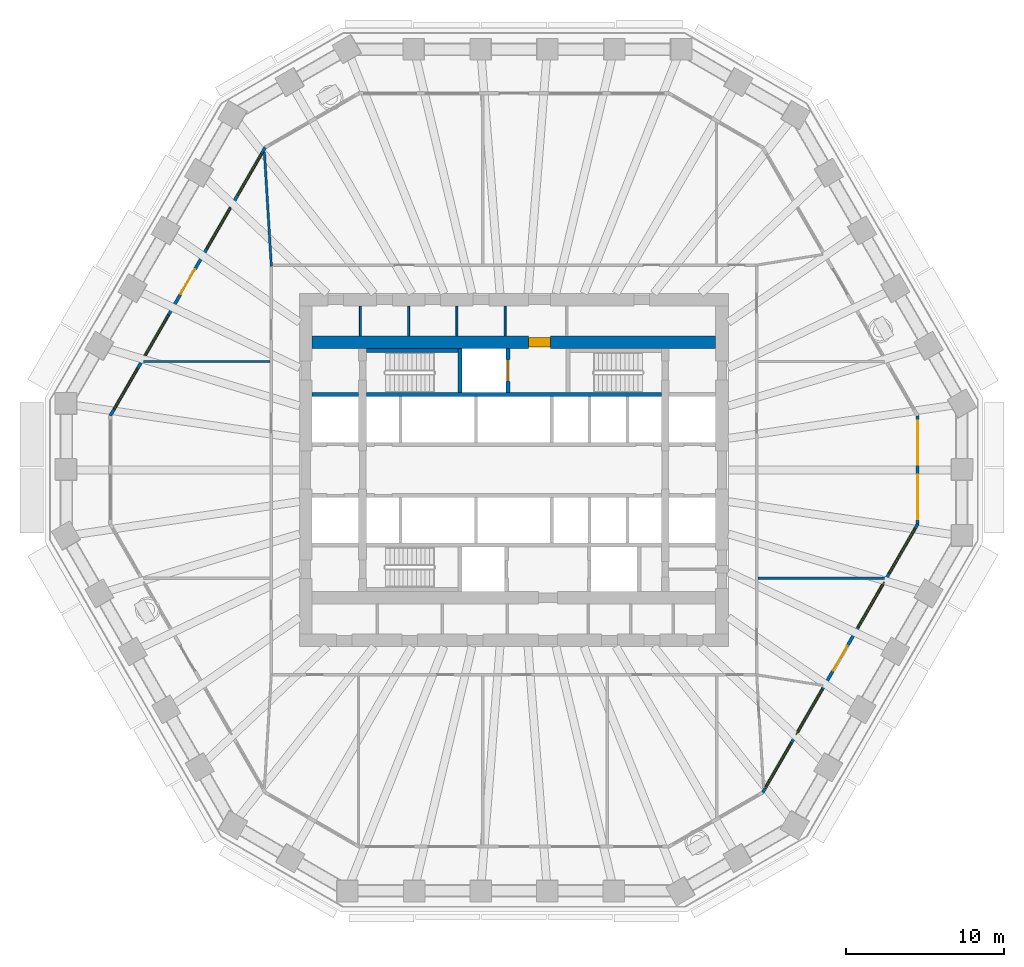
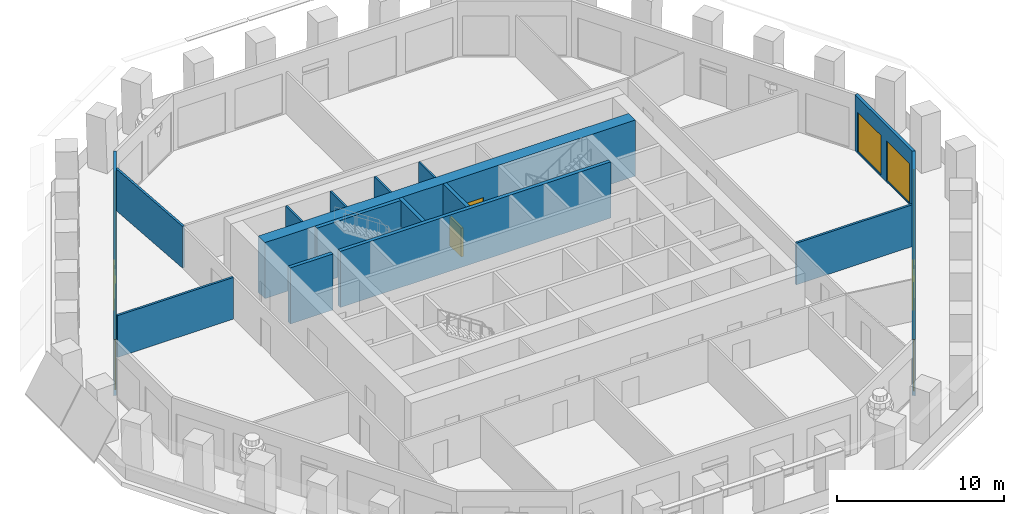
# One storey, part 6 of 12: 16 walls, 12 windows, 4 doors, 16 openings.
"""IFC4 building model written with IfcOpenShell, lengths in metres."""

import ifcopenshell
import ifcopenshell.guid

model = None  # the IFC model being written
_history = None  # IfcOwnerHistory: only IFC2X3 demands one
_inside = {}  # id of a spatial element -> (the spatial element, [elements in it])
_under = {}  # id of a project, library or spatial element -> (it, [spatial elements below it])
_declared = {}  # id of a project -> (the project, [libraries it declares])
_typed = {}  # id of a type object -> (the type object, [elements of that type])
_made_of = {}  # id of a material, layer set ... -> (it, [elements and type objects made of it])


def new_model(schema):
    """Start an empty IFC model of exactly this schema.

    Asked for "IFC4X3", IfcOpenShell would pick the latest addendum, in which some entities
    have other attributes; the version numbers below select the first issue.
    IFC2X3 requires an IfcOwnerHistory on every rooted entity: one is made here for all.
    """
    global model, _history
    if schema == "IFC4X3":
        model = ifcopenshell.file(schema_version=(4, 3, 0, 0))
    else:
        model = ifcopenshell.file(schema=schema)
    _inside.clear()
    _under.clear()
    _declared.clear()
    _typed.clear()
    _made_of.clear()
    _history = None
    if model.schema == "IFC2X3":
        org = make("IfcOrganization", Name="unknown")
        user = make(
            "IfcPersonAndOrganization",
            ThePerson=make("IfcPerson", FamilyName="unknown"),
            TheOrganization=org,
        )
        app = make(
            "IfcApplication",
            ApplicationDeveloper=org,
            Version="unknown",
            ApplicationFullName="unknown",
            ApplicationIdentifier="unknown",
        )
        _history = make(
            "IfcOwnerHistory",
            OwningUser=user,
            OwningApplication=app,
            ChangeAction="ADDED",
            CreationDate=0,
        )
    return model


def make(cls, **values):
    """One entity of the class cls with the attributes given. An attribute that is None is left unset."""
    return model.create_entity(
        cls, **{name: value for name, value in values.items() if value is not None}
    )


def rooted(cls, **values):
    """An entity with a GlobalId (a new one), such as an element, a storey or a relation."""
    return make(cls, GlobalId=ifcopenshell.guid.new(), OwnerHistory=_history, **values)


def si_unit(unit_type, name, prefix=None):
    """IfcSIUnit, for example si_unit("LENGTHUNIT", "METRE", prefix="MILLI")."""
    return make("IfcSIUnit", UnitType=unit_type, Prefix=prefix, Name=name)


def assignment(units):
    """IfcUnitAssignment: the units of a project."""
    return None if units is None else make("IfcUnitAssignment", Units=units)


def point(xyz):
    """IfcCartesianPoint."""
    return None if xyz is None else make("IfcCartesianPoint", Coordinates=xyz)


def direction(xyz):
    """IfcDirection."""
    return None if xyz is None else make("IfcDirection", DirectionRatios=xyz)


def frame(location, z_axis=None, x_axis=None):
    """IfcAxis2Placement3D, a coordinate frame: its origin and axes. An axis left out is left unset."""
    return make(
        "IfcAxis2Placement3D",
        Location=point(location),
        Axis=direction(z_axis),
        RefDirection=direction(x_axis),
    )


def frame_2d(location, x_axis=None):
    """IfcAxis2Placement2D, a coordinate frame in the plane: its origin and x axis."""
    return make(
        "IfcAxis2Placement2D", Location=point(location), RefDirection=direction(x_axis)
    )


def origin():
    """The frame at (0, 0, 0) with its axes left unset."""
    return frame((0.0, 0.0, 0.0))


def place(relative_to, where):
    """IfcLocalPlacement: puts the frame where relative to a parent placement (None: the world)."""
    return make(
        "IfcLocalPlacement", PlacementRelTo=relative_to, RelativePlacement=where
    )


def context(
    kind, dimensions, precision=None, world=None, true_north=None, identifier=None
):
    """IfcGeometricRepresentationContext, for example the 3D "Model" context."""
    return make(
        "IfcGeometricRepresentationContext",
        ContextIdentifier=identifier,
        ContextType=kind,
        CoordinateSpaceDimension=dimensions,
        Precision=precision,
        WorldCoordinateSystem=world,
        TrueNorth=true_north,
    )


def subcontext(parent, identifier, kind, view, scale=None):
    """IfcGeometricRepresentationSubContext, for example "Body" below "Model"."""
    return make(
        "IfcGeometricRepresentationSubContext",
        ContextIdentifier=identifier,
        ContextType=kind,
        ParentContext=parent,
        TargetScale=scale,
        TargetView=view,
    )


def project(units=None, contexts=None):
    """IfcProject with its units and contexts."""
    return rooted(
        "IfcProject",
        Name="project",
        RepresentationContexts=contexts,
        UnitsInContext=assignment(units),
    )


def spatial(cls, under=None, at=None, **own):
    """A site, building, storey or space (cls), placed at a placement, below another one or the project."""
    s = rooted(cls, ObjectPlacement=at, **own)
    if under is not None:
        _under.setdefault(under.id(), (under, []))[1].append(s)
    return s


def polyline(points):
    """IfcPolyline through the points."""
    return make("IfcPolyline", Points=[point(p) for p in points])


def profile(cls, at=None, kind="AREA", **sizes):
    """A parametric profile (cls). Its sizes go by their IFC names, for example OverallWidth=200.0."""
    return make(cls, ProfileType=kind, Position=at, **sizes)


def rectangle(**sizes):
    """IfcRectangleProfileDef."""
    return profile("IfcRectangleProfileDef", **sizes)


def outline(outer, holes=None, kind="AREA"):
    """IfcArbitraryClosedProfileDef: a profile drawn as a closed curve; with holes, ...WithVoids."""
    if holes is None:
        return make("IfcArbitraryClosedProfileDef", ProfileType=kind, OuterCurve=outer)
    return make(
        "IfcArbitraryProfileDefWithVoids",
        ProfileType=kind,
        OuterCurve=outer,
        InnerCurves=holes,
    )


def extrude(swept, where, along, depth):
    """IfcExtrudedAreaSolid: the profile swept, set in the frame where, extruded along a direction by depth."""
    return make(
        "IfcExtrudedAreaSolid",
        SweptArea=swept,
        Position=where,
        ExtrudedDirection=direction(along),
        Depth=depth,
    )


def shape(context_of_items, identifier, shape_type, items):
    """IfcShapeRepresentation: the items that make up one representation, for example the "Body"."""
    return make(
        "IfcShapeRepresentation",
        ContextOfItems=context_of_items,
        RepresentationIdentifier=identifier,
        RepresentationType=shape_type,
        Items=items,
    )


def material(Name=None, Category=None):
    """IfcMaterial."""
    return make("IfcMaterial", Name=Name, Category=Category)


def layer(
    of_material, thickness, ventilated=None, Name=None, Category=None, Priority=None
):
    """IfcMaterialLayer: one layer of a wall or slab, of a material (None: an air gap)."""
    return make(
        "IfcMaterialLayer",
        Material=of_material,
        LayerThickness=thickness,
        IsVentilated=ventilated,
        Name=Name,
        Category=Category,
        Priority=Priority,
    )


def layer_set(layers, Name=None):
    """IfcMaterialLayerSet."""
    return make("IfcMaterialLayerSet", MaterialLayers=layers, LayerSetName=Name)


def made_of(thing, what):
    """Note that an element or type object is made of a material, layer set ...; save() writes the relation."""
    if what is not None:
        _made_of.setdefault(what.id(), (what, []))[1].append(thing)
    return thing


def type_object(cls, material=None, **own):
    """A type object (cls), such as IfcWallType, which elements share."""
    return made_of(rooted(cls, **own), material)


def element(
    cls,
    number,
    at=None,
    inside=None,
    cuts=None,
    type_object=None,
    material=None,
    context=None,
    identifier="Body",
    shape_type=None,
    held_by="IfcProductDefinitionShape",
    body=None,
    shapes=None,
    **own,
):
    """One element of the class cls, such as IfcWall. Its Tag is "e" and its number.

    at: its placement. inside: the storey or other place that contains it. cuts: it is an
    opening in that element (IfcRelVoidsElement). A single representation is given by context,
    identifier, shape_type and body (its items); several are given by shapes. held_by: the class
    of the entity that holds the representations. save() writes the other relations.
    """
    e = rooted(cls, Tag="e%d" % number, ObjectPlacement=at, **own)
    if body is not None:
        shapes = [shape(context, identifier, shape_type, body)]
    if shapes is not None:
        e.Representation = make(held_by, Representations=shapes)
    if inside is not None:
        _inside.setdefault(inside.id(), (inside, []))[1].append(e)
    if cuts is not None:
        rooted(
            "IfcRelVoidsElement", RelatingBuildingElement=cuts, RelatedOpeningElement=e
        )
    if type_object is not None:
        _typed.setdefault(type_object.id(), (type_object, []))[1].append(e)
    return made_of(e, material)


def fill(opening, filler):
    """IfcRelFillsElement: the door or window that sits in an opening."""
    return rooted(
        "IfcRelFillsElement",
        RelatingOpeningElement=opening,
        RelatedBuildingElement=filler,
    )


def aggregate(whole, parts):
    """IfcRelAggregates: a whole, such as a stair, and the parts it consists of."""
    return rooted("IfcRelAggregates", RelatingObject=whole, RelatedObjects=parts)


def save(model, path):
    """Write the relations noted so far, then the file.

    IfcRelAggregates (storeys below a building ...), IfcRelContainedInSpatialStructure (elements
    in a storey), IfcRelDefinesByType, IfcRelAssociatesMaterial and IfcRelDeclares: one each for
    every whole, place, type object, material and project.
    """
    for whole, parts in _under.values():
        aggregate(whole, parts)
    for where, things in _inside.values():
        rooted(
            "IfcRelContainedInSpatialStructure",
            RelatedElements=things,
            RelatingStructure=where,
        )
    for kind, things in _typed.values():
        rooted("IfcRelDefinesByType", RelatedObjects=things, RelatingType=kind)
    for what, things in _made_of.values():
        rooted("IfcRelAssociatesMaterial", RelatedObjects=things, RelatingMaterial=what)
    for by, libraries in _declared.values():
        rooted("IfcRelDeclares", RelatingContext=by, RelatedDefinitions=libraries)
    model.write(path)


model = new_model("IFC4")

# Units and contexts
model_context = context("Model", 3, precision=1e-05, world=origin(), true_north=direction((0.0, 1.0)))
body_context = subcontext(model_context, "Body", "Model", "MODEL_VIEW")
ifc_project = project(units=[si_unit("LENGTHUNIT", "METRE"), si_unit("AREAUNIT", "SQUARE_METRE"), si_unit("VOLUMEUNIT", "CUBIC_METRE"), si_unit("PLANEANGLEUNIT", "RADIAN"), si_unit("MASSUNIT", "GRAM", prefix="KILO")], contexts=[model_context])

# Site, building, storey
site_placement = place(None, origin())
site = spatial("IfcSite", under=ifc_project, at=site_placement, CompositionType="ELEMENT")
building_placement = place(site_placement, origin())
building = spatial("IfcBuilding", under=site, at=building_placement, Name="Frailejon Research Tower", CompositionType="ELEMENT")
storey_placement = place(building_placement, frame((0.0, 0.0, 80.800048828125)))
storey = spatial("IfcBuildingStorey", under=building, at=storey_placement, Name="L17", CompositionType="ELEMENT", Elevation=80.800048828125)

# Walls
ifc_material_1 = material(Name="Plasterboard on steel studs", Category="steel")
ifc_layer_1 = layer(ifc_material_1, 0.125)
ifc_layer_set_1 = layer_set([ifc_layer_1], Name="Core partition 125")
wall_type_1 = type_object("IfcWallType", Name="Core partition 125", PredefinedType="PARTITIONING", material=ifc_layer_set_1)
for number, where, z_axis, x_axis, name in (
    (1, (-9.740478515625, 8.5, 0.0), (0.0, 0.0, 1.0), (0.0, 1.0, 0.0), "Core partition"),
    (2, (-6.68115234375, 8.5, 0.0), (0.0, 0.0, 1.0), (0.0, 1.0, 0.0), "Core partition"),
    (3, (-3.621826171875, 8.5, 0.0), (0.0, 0.0, 1.0), (0.0, 1.0, 0.0), "Core partition"),
    (4, (-0.5625, 8.5, 0.0), (0.0, 0.0, 1.0), (0.0, 1.0, 0.0), "Core partition"),
):
    element("IfcWall", number, at=place(storey_placement, frame(where, z_axis=z_axis, x_axis=x_axis)), inside=storey, type_object=wall_type_1, Name=name, PredefinedType="PARTITIONING", context=body_context, shape_type="SweptSolid", body=[
        extrude(rectangle(XDim=1.89990234375, YDim=0.125, at=frame_2d((0.949951171875, 0.0))), origin(), (0.0, 0.0, 1.0), 4.099853515625),
    ])

# Wall, opening, door
ifc_material_2 = material(Name="Concrete C70/85", Category="concrete")
ifc_layer_2 = layer(ifc_material_2, 0.800048828125)
ifc_layer_set_2 = layer_set([ifc_layer_2], Name="Core shear wall 800 C70/85")
wall_type_2 = type_object("IfcWallType", Name="Core shear wall 800 C70/85", PredefinedType="SHEAR", material=ifc_layer_set_2)
wall_1_placement = place(storey_placement, frame((-12.800048828125, 8.10009765625, 0.0), z_axis=(0.0, 0.0, 1.0), x_axis=(1.0, 0.0, 0.0)))
wall_1 = element("IfcWall", 5, at=wall_1_placement, inside=storey, type_object=wall_type_2, Name="Core shear wall", PredefinedType="SHEAR", context=body_context, shape_type="SweptSolid", body=[
    extrude(rectangle(XDim=25.60009765625, YDim=0.800048828125, at=frame_2d((12.800048828125, 0.0))), origin(), (0.0, 0.0, 1.0), 4.099853515625),
])
opening_1_placement = place(wall_1_placement, frame((13.72509765625, 0.0, 0.0)))
opening_1 = element("IfcOpeningElement", 6, at=opening_1_placement, cuts=wall_1, Name="Opening D9", PredefinedType="OPENING", context=body_context, shape_type="SweptSolid", body=[
    extrude(rectangle(XDim=1.39990234375, YDim=2.10009765625, at=frame_2d((0.699951171875, 1.050048828125))), frame((0.0, 0.409912109375, 0.0), z_axis=(0.0, -1.0, 0.0), x_axis=(1.0, 0.0, 0.0)), (0.0, 0.0, 1.0), 0.820068359375),
])
ifc_material_3 = material(Name="Steel", Category="steel")
door_type_1 = type_object("IfcDoorType", Name="Goods lobby door", OperationType="DOUBLE_DOOR_SINGLE_SWING", PredefinedType="DOOR", material=ifc_material_3)
door_1_placement = place(opening_1_placement, origin())
door_1 = element("IfcDoor", 7, at=door_1_placement, inside=storey, type_object=door_type_1, Name="Goods lobby door", OperationType="DOUBLE_DOOR_SINGLE_SWING", OverallHeight=2.10009765625, OverallWidth=1.39990234375, PredefinedType="DOOR", context=body_context, shape_type="SweptSolid", body=[
    extrude(rectangle(XDim=1.39990234375, YDim=2.10009765625, at=frame_2d((0.699951171875, 1.050048828125))), frame((0.0, 0.300048828125, 0.0), z_axis=(0.0, -1.0, 0.0), x_axis=(1.0, 0.0, 0.0)), (0.0, 0.0, 1.0), 0.60009765625),
])
fill(opening_1, door_1)

# Walls
ifc_material_4 = material(Name="Gypsum board and masonry partition", Category="masonry")
ifc_layer_3 = layer(ifc_material_4, 0.14990234375)
ifc_layer_set_3 = layer_set([ifc_layer_3], Name="Laboratory partition, blockwork 150")
wall_type_3 = type_object("IfcWallType", Name="Laboratory partition, blockwork 150", PredefinedType="PARTITIONING", material=ifc_layer_set_3)
for number, where, z_axis, x_axis, name in (
    (8, (-23.510498046875, 6.87841796875, 0.0), (0.0, 0.0, 1.0), (1.0, 0.0, 0.0), "T:IW:L17:005"),
    (9, (15.47509765625, -6.87841796875, 0.0), (0.0, 0.0, 1.0), (1.0, 0.0, 0.0), "T:IW:L17:008"),
):
    element("IfcWall", number, at=place(storey_placement, frame(where, z_axis=z_axis, x_axis=x_axis)), inside=storey, type_object=wall_type_3, Name=name, PredefinedType="PARTITIONING", context=body_context, shape_type="SweptSolid", body=[
        extrude(rectangle(XDim=8.035400390625, YDim=0.14990234375, at=frame_2d((4.017578125, 0.0))), origin(), (0.0, 0.0, 1.0), 3.050048828125),
    ])
wall_2_placement = place(storey_placement, frame((-15.83447265625, 20.173828125, 0.0), z_axis=(0.0, 0.0, 1.0), x_axis=(0.060446339426, -0.998171448224, 0.0)))
element("IfcWall", 10, at=wall_2_placement, inside=storey, type_object=wall_type_3, Name="T:IW:L17:011", PredefinedType="PARTITIONING", context=body_context, shape_type="SweptSolid", body=[
    extrude(rectangle(XDim=7.261962890625, YDim=0.14990234375, at=frame_2d((3.630859375, 0.0))), origin(), (0.0, 0.0, 1.0), 3.050048828125),
])
ifc_material_5 = material(Name="Concrete C70/85", Category="concrete")
ifc_layer_4 = layer(ifc_material_5, 0.25)
ifc_layer_set_4 = layer_set([ifc_layer_4], Name="Shaft wall 250 C70/85")
wall_type_4 = type_object("IfcWallType", Name="Shaft wall 250 C70/85", PredefinedType="SOLIDWALL", material=ifc_layer_set_4)
wall_3_placement = place(storey_placement, frame((-12.800048828125, 4.77490234375, 0.0), z_axis=(0.0, 0.0, 1.0), x_axis=(1.0, 0.0, 0.0)))
element("IfcWall", 11, at=wall_3_placement, inside=storey, type_object=wall_type_4, Name="Shaft wall", PredefinedType="SOLIDWALL", context=body_context, shape_type="SweptSolid", body=[
    extrude(rectangle(XDim=2.949951171875, YDim=0.25, at=frame_2d((1.47509765625, 0.0))), origin(), (0.0, 0.0, 1.0), 4.099853515625),
])
wall_4_placement = place(storey_placement, frame((-9.35009765625, 4.77490234375, 0.0), z_axis=(0.0, 0.0, 1.0), x_axis=(1.0, 0.0, 0.0)))
element("IfcWall", 12, at=wall_4_placement, inside=storey, type_object=wall_type_4, Name="Shaft wall", PredefinedType="SOLIDWALL", context=body_context, shape_type="SweptSolid", body=[
    extrude(rectangle(XDim=18.7001953125, YDim=0.25, at=frame_2d((9.35009765625, 0.0))), origin(), (0.0, 0.0, 1.0), 4.099853515625),
])
wall_5_placement = place(storey_placement, frame((-9.35009765625, 7.574951171875, 0.0), z_axis=(0.0, 0.0, 1.0), x_axis=(1.0, 0.0, 0.0)))
element("IfcWall", 13, at=wall_5_placement, inside=storey, type_object=wall_type_4, Name="Shaft wall", PredefinedType="SOLIDWALL", context=body_context, shape_type="SweptSolid", body=[
    extrude(rectangle(XDim=5.800048828125, YDim=0.25, at=frame_2d((2.89990234375, 0.0))), origin(), (0.0, 0.0, 1.0), 4.099853515625),
])
wall_6_placement = place(storey_placement, frame((-3.425048828125, 4.89990234375, 0.0), z_axis=(0.0, 0.0, 1.0), x_axis=(0.0, 1.0, 0.0)))
element("IfcWall", 14, at=wall_6_placement, inside=storey, type_object=wall_type_4, Name="Shaft wall", PredefinedType="SOLIDWALL", context=body_context, shape_type="SweptSolid", body=[
    extrude(rectangle(XDim=2.800048828125, YDim=0.25, at=frame_2d((1.39990234375, 0.0))), origin(), (0.0, 0.0, 1.0), 4.099853515625),
])

# Wall, opening, door
wall_7_placement = place(storey_placement, frame((-0.375, 4.89990234375, 0.0), z_axis=(0.0, 0.0, 1.0), x_axis=(0.0, 1.0, 0.0)))
wall_7 = element("IfcWall", 15, at=wall_7_placement, inside=storey, type_object=wall_type_4, Name="Shaft wall", PredefinedType="SOLIDWALL", context=body_context, shape_type="SweptSolid", body=[
    extrude(rectangle(XDim=2.800048828125, YDim=0.25, at=frame_2d((1.39990234375, 0.0))), origin(), (0.0, 0.0, 1.0), 4.099853515625),
])
opening_2_placement = place(wall_7_placement, frame((0.699951171875, 0.0, 0.0)))
opening_2 = element("IfcOpeningElement", 16, at=opening_2_placement, cuts=wall_7, Name="Opening LD2", PredefinedType="OPENING", context=body_context, shape_type="SweptSolid", body=[
    extrude(rectangle(XDim=1.39990234375, YDim=2.10009765625, at=frame_2d((0.699951171875, 1.050048828125))), frame((0.0, 0.135009765625, 0.0), z_axis=(0.0, -1.0, 0.0), x_axis=(1.0, 0.0, 0.0)), (0.0, 0.0, 1.0), 0.27001953125),
])
ifc_material_6 = material(Name="Stainless steel", Category="steel")
door_type_2 = type_object("IfcDoorType", Name="Goods landing door", OperationType="DOUBLE_DOOR_SLIDING", PredefinedType="DOOR", material=ifc_material_6)
door_2_placement = place(opening_2_placement, origin())
door_2 = element("IfcDoor", 17, at=door_2_placement, inside=storey, type_object=door_type_2, Name="Lift landing door", OperationType="DOUBLE_DOOR_SLIDING", OverallHeight=2.10009765625, OverallWidth=1.39990234375, PredefinedType="DOOR", context=body_context, shape_type="SweptSolid", body=[
    extrude(rectangle(XDim=1.39990234375, YDim=2.10009765625, at=frame_2d((0.699951171875, 1.050048828125))), frame((0.0, 0.074951171875, 0.0), z_axis=(0.0, -1.0, 0.0), x_axis=(1.0, 0.0, 0.0)), (0.0, 0.0, 1.0), 0.14990234375),
])
fill(opening_2, door_2)

# Wall, openings, windows
ifc_material_7 = material(Name="Concrete C40/50 precast window wall panel", Category="concrete")
ifc_layer_5 = layer(ifc_material_7, 0.199951171875)
ifc_layer_set_5 = layer_set([ifc_layer_5], Name="Window wall 200")
wall_type_5 = type_object("IfcWallType", Name="Window wall 200", PredefinedType="SOLIDWALL", material=ifc_layer_set_5)
wall_8_placement = place(storey_placement, frame((25.61279296875, -3.437255859375, 0.0), z_axis=(0.0, 0.0, 1.0), x_axis=(0.0, 1.0, 0.0)))
wall_8 = element("IfcWall", 18, at=wall_8_placement, inside=storey, type_object=wall_type_5, Name="Exterior wall L17", PredefinedType="SOLIDWALL", context=body_context, shape_type="SweptSolid", body=[
    extrude(outline(polyline([(-0.02685546875, -0.10009765625), (1.1279296875, -0.10009765625), (2.282470703125, -0.10009765625), (3.437255859375, -0.10009765625), (4.592041015625, -0.10009765625), (5.74658203125, -0.10009765625), (6.9013671875, -0.10009765625), (6.84765625, 0.10009765625), (5.7109375, 0.10009765625), (4.573974609375, 0.10009765625), (3.437255859375, 0.10009765625), (2.300537109375, 0.10009765625), (1.16357421875, 0.10009765625), (0.02685546875, 0.10009765625), (-0.02685546875, -0.10009765625)])), origin(), (0.0, 0.0, 1.0), 4.099853515625),
])
opening_3_placement = place(wall_8_placement, frame((0.318603515625, 0.0, 0.10009765625)))
opening_3 = element("IfcOpeningElement", 19, at=opening_3_placement, cuts=wall_8, Name="Opening W3", PredefinedType="OPENING", context=body_context, shape_type="SweptSolid", body=[
    extrude(rectangle(XDim=2.800048828125, YDim=2.89990234375, at=frame_2d((1.39990234375, 1.449951171875))), frame((0.0, 0.10986328125, 0.0), z_axis=(0.0, -1.0, 0.0), x_axis=(1.0, 0.0, 0.0)), (0.0, 0.0, 1.0), 0.219970703125),
])
opening_4_placement = place(wall_8_placement, frame((3.756103515625, 0.0, 0.10009765625)))
opening_4 = element("IfcOpeningElement", 20, at=opening_4_placement, cuts=wall_8, Name="Opening W3", PredefinedType="OPENING", context=body_context, shape_type="SweptSolid", body=[
    extrude(rectangle(XDim=2.800048828125, YDim=2.89990234375, at=frame_2d((1.39990234375, 1.449951171875))), frame((0.0, 0.10986328125, 0.0), z_axis=(0.0, -1.0, 0.0), x_axis=(1.0, 0.0, 0.0)), (0.0, 0.0, 1.0), 0.219970703125),
])
ifc_material_8 = material(Name="Aluminium framed double glazing", Category="aluminium")
window_type_1 = type_object("IfcWindowType", Name="Window 2800x2900", PartitioningType="SINGLE_PANEL", PredefinedType="WINDOW", material=ifc_material_8)
window_1_placement = place(opening_3_placement, origin())
window_1 = element("IfcWindow", 21, at=window_1_placement, inside=storey, type_object=window_type_1, Name="Window L17", OverallHeight=2.89990234375, OverallWidth=2.800048828125, PartitioningType="SINGLE_PANEL", PredefinedType="WINDOW", context=body_context, shape_type="SweptSolid", body=[
    extrude(rectangle(XDim=2.800048828125, YDim=2.89990234375, at=frame_2d((1.39990234375, 1.449951171875))), frame((0.0, 0.030029296875, 0.0), z_axis=(0.0, -1.0, 0.0), x_axis=(1.0, 0.0, 0.0)), (0.0, 0.0, 1.0), 0.06005859375),
])
fill(opening_3, window_1)
window_2_placement = place(opening_4_placement, origin())
window_2 = element("IfcWindow", 22, at=window_2_placement, inside=storey, type_object=window_type_1, Name="Window L17", OverallHeight=2.89990234375, OverallWidth=2.800048828125, PartitioningType="SINGLE_PANEL", PredefinedType="WINDOW", context=body_context, shape_type="SweptSolid", body=[
    extrude(rectangle(XDim=2.800048828125, YDim=2.89990234375, at=frame_2d((1.39990234375, 1.449951171875))), frame((0.0, 0.030029296875, 0.0), z_axis=(0.0, -1.0, 0.0), x_axis=(1.0, 0.0, 0.0)), (0.0, 0.0, 1.0), 0.06005859375),
])
fill(opening_4, window_2)

# Wall, openings, door, windows
wall_9_placement = place(storey_placement, frame((-15.783203125, 20.462646484375, 0.0), z_axis=(0.0, 0.0, 1.0), x_axis=(-0.499999083763, -0.866025932773, 0.0)))
wall_9 = element("IfcWall", 23, at=wall_9_placement, inside=storey, type_object=wall_type_5, Name="Exterior wall L17", PredefinedType="SOLIDWALL", context=body_context, shape_type="SweptSolid", body=[
    extrude(outline(polyline([(-0.02685546875, -0.10009765625), (1.0107421875, -0.10009765625), (2.048095703125, -0.10009765625), (3.085693359375, -0.10009765625), (4.123291015625, -0.10009765625), (5.16064453125, -0.10009765625), (6.1982421875, -0.10009765625), (7.23583984375, -0.10009765625), (8.273193359375, -0.10009765625), (9.310791015625, -0.10009765625), (10.348388671875, -0.10009765625), (11.385986328125, -0.10009765625), (12.42333984375, -0.10009765625), (13.4609375, -0.10009765625), (14.49853515625, -0.10009765625), (15.535888671875, -0.10009765625), (16.573486328125, -0.10009765625), (17.611083984375, -0.10009765625), (18.6484375, -0.10009765625), (19.68603515625, -0.10009765625), (19.63232421875, 0.10009765625), (18.600341796875, 0.10009765625), (17.568603515625, 0.10009765625), (16.53662109375, 0.10009765625), (15.5048828125, 0.10009765625), (14.472900390625, 0.10009765625), (13.441162109375, 0.10009765625), (12.4091796875, 0.10009765625), (11.37744140625, 0.10009765625), (10.345458984375, 0.10009765625), (9.313720703125, 0.10009765625), (8.28173828125, 0.10009765625), (7.25, 0.10009765625), (6.218017578125, 0.10009765625), (5.186279296875, 0.10009765625), (4.154296875, 0.10009765625), (3.12255859375, 0.10009765625), (2.090576171875, 0.10009765625), (1.058837890625, 0.10009765625), (0.02685546875, 0.10009765625), (-0.02685546875, -0.10009765625)])), origin(), (0.0, 0.0, 1.0), 4.099853515625),
])
opening_5_placement = place(wall_9_placement, frame((0.4658203125, 0.0, 0.10009765625)))
opening_5 = element("IfcOpeningElement", 24, at=opening_5_placement, cuts=wall_9, Name="Opening W4", PredefinedType="OPENING", context=body_context, shape_type="SweptSolid", body=[
    extrude(rectangle(XDim=3.0, YDim=2.89990234375, at=frame_2d((1.5, 1.449951171875))), frame((0.0, 0.10986328125, 0.0), z_axis=(0.0, -1.0, 0.0), x_axis=(1.0, 0.0, 0.0)), (0.0, 0.0, 1.0), 0.219970703125),
])
opening_6_placement = place(wall_9_placement, frame((4.397705078125, 0.0, 0.10009765625)))
opening_6 = element("IfcOpeningElement", 25, at=opening_6_placement, cuts=wall_9, Name="Opening W4", PredefinedType="OPENING", context=body_context, shape_type="SweptSolid", body=[
    extrude(rectangle(XDim=3.0, YDim=2.89990234375, at=frame_2d((1.5, 1.449951171875))), frame((0.0, 0.10986328125, 0.0), z_axis=(0.0, -1.0, 0.0), x_axis=(1.0, 0.0, 0.0)), (0.0, 0.0, 1.0), 0.219970703125),
])
opening_7_placement = place(wall_9_placement, frame((8.9296875, 0.0, 0.0)))
opening_7 = element("IfcOpeningElement", 26, at=opening_7_placement, cuts=wall_9, Name="Opening LG17-3", PredefinedType="OPENING", context=body_context, shape_type="SweptSolid", body=[
    extrude(rectangle(XDim=1.800048828125, YDim=2.39990234375, at=frame_2d((0.89990234375, 1.199951171875))), frame((0.0, 0.10986328125, 0.0), z_axis=(0.0, -1.0, 0.0), x_axis=(1.0, 0.0, 0.0)), (0.0, 0.0, 1.0), 0.219970703125),
])
opening_8_placement = place(wall_9_placement, frame((8.9296875, 0.0, 2.550048828125)))
opening_8 = element("IfcOpeningElement", 27, at=opening_8_placement, cuts=wall_9, Name="Opening W1", PredefinedType="OPENING", context=body_context, shape_type="SweptSolid", body=[
    extrude(rectangle(XDim=1.800048828125, YDim=0.449951171875, at=frame_2d((0.89990234375, 0.22509765625))), frame((0.0, 0.10986328125, 0.0), z_axis=(0.0, -1.0, 0.0), x_axis=(1.0, 0.0, 0.0)), (0.0, 0.0, 1.0), 0.219970703125),
])
opening_9_placement = place(wall_9_placement, frame((12.261474609375, 0.0, 0.10009765625)))
opening_9 = element("IfcOpeningElement", 28, at=opening_9_placement, cuts=wall_9, Name="Opening W4", PredefinedType="OPENING", context=body_context, shape_type="SweptSolid", body=[
    extrude(rectangle(XDim=3.0, YDim=2.89990234375, at=frame_2d((1.5, 1.449951171875))), frame((0.0, 0.10986328125, 0.0), z_axis=(0.0, -1.0, 0.0), x_axis=(1.0, 0.0, 0.0)), (0.0, 0.0, 1.0), 0.219970703125),
])
opening_10_placement = place(wall_9_placement, frame((16.193359375, 0.0, 0.10009765625)))
opening_10 = element("IfcOpeningElement", 29, at=opening_10_placement, cuts=wall_9, Name="Opening W4", PredefinedType="OPENING", context=body_context, shape_type="SweptSolid", body=[
    extrude(rectangle(XDim=3.0, YDim=2.89990234375, at=frame_2d((1.5, 1.449951171875))), frame((0.0, 0.10986328125, 0.0), z_axis=(0.0, -1.0, 0.0), x_axis=(1.0, 0.0, 0.0)), (0.0, 0.0, 1.0), 0.219970703125),
])
ifc_material_9 = material(Name="Aluminium framed glazed door leaf", Category="aluminium")
door_type_3 = type_object("IfcDoorType", Name="Loggia door 1800x2400", OperationType="DOUBLE_DOOR_SINGLE_SWING", PredefinedType="DOOR", material=ifc_material_9)
door_3_placement = place(opening_7_placement, origin())
door_3 = element("IfcDoor", 30, at=door_3_placement, inside=storey, type_object=door_type_3, Name="Door LG17-3", OperationType="DOUBLE_DOOR_SINGLE_SWING", OverallHeight=2.39990234375, OverallWidth=1.800048828125, PredefinedType="DOOR", context=body_context, shape_type="SweptSolid", body=[
    extrude(rectangle(XDim=1.800048828125, YDim=2.39990234375, at=frame_2d((0.89990234375, 1.199951171875))), frame((0.0, 0.02490234375, 0.0), z_axis=(0.0, -1.0, 0.0), x_axis=(1.0, 0.0, 0.0)), (0.0, 0.0, 1.0), 0.050048828125),
])
fill(opening_7, door_3)
ifc_material_10 = material(Name="Aluminium framed double glazing", Category="aluminium")
window_type_2 = type_object("IfcWindowType", Name="Window 1800x450", PartitioningType="SINGLE_PANEL", PredefinedType="WINDOW", material=ifc_material_10)
window_3_placement = place(opening_8_placement, origin())
window_3 = element("IfcWindow", 31, at=window_3_placement, inside=storey, type_object=window_type_2, Name="Window L17", OverallHeight=0.449951171875, OverallWidth=1.800048828125, PartitioningType="SINGLE_PANEL", PredefinedType="WINDOW", context=body_context, shape_type="SweptSolid", body=[
    extrude(rectangle(XDim=1.800048828125, YDim=0.449951171875, at=frame_2d((0.89990234375, 0.22509765625))), frame((0.0, 0.030029296875, 0.0), z_axis=(0.0, -1.0, 0.0), x_axis=(1.0, 0.0, 0.0)), (0.0, 0.0, 1.0), 0.06005859375),
])
fill(opening_8, window_3)
ifc_material_11 = material(Name="Aluminium framed double glazing", Category="aluminium")
window_type_3 = type_object("IfcWindowType", Name="Window 3000x2900", PartitioningType="SINGLE_PANEL", PredefinedType="WINDOW", material=ifc_material_11)
window_4_placement = place(opening_5_placement, origin())
window_4 = element("IfcWindow", 32, at=window_4_placement, inside=storey, type_object=window_type_3, Name="Window L17", OverallHeight=2.89990234375, OverallWidth=3.0, PartitioningType="SINGLE_PANEL", PredefinedType="WINDOW", context=body_context, shape_type="SweptSolid", body=[
    extrude(rectangle(XDim=3.0, YDim=2.89990234375, at=frame_2d((1.5, 1.449951171875))), frame((0.0, 0.030029296875, 0.0), z_axis=(0.0, -1.0, 0.0), x_axis=(1.0, 0.0, 0.0)), (0.0, 0.0, 1.0), 0.06005859375),
])
fill(opening_5, window_4)
window_5_placement = place(opening_6_placement, origin())
window_5 = element("IfcWindow", 33, at=window_5_placement, inside=storey, type_object=window_type_3, Name="Window L17", OverallHeight=2.89990234375, OverallWidth=3.0, PartitioningType="SINGLE_PANEL", PredefinedType="WINDOW", context=body_context, shape_type="SweptSolid", body=[
    extrude(rectangle(XDim=3.0, YDim=2.89990234375, at=frame_2d((1.5, 1.449951171875))), frame((0.0, 0.030029296875, 0.0), z_axis=(0.0, -1.0, 0.0), x_axis=(1.0, 0.0, 0.0)), (0.0, 0.0, 1.0), 0.06005859375),
])
fill(opening_6, window_5)
window_6_placement = place(opening_9_placement, origin())
window_6 = element("IfcWindow", 34, at=window_6_placement, inside=storey, type_object=window_type_3, Name="Window L17", OverallHeight=2.89990234375, OverallWidth=3.0, PartitioningType="SINGLE_PANEL", PredefinedType="WINDOW", context=body_context, shape_type="SweptSolid", body=[
    extrude(rectangle(XDim=3.0, YDim=2.89990234375, at=frame_2d((1.5, 1.449951171875))), frame((0.0, 0.030029296875, 0.0), z_axis=(0.0, -1.0, 0.0), x_axis=(1.0, 0.0, 0.0)), (0.0, 0.0, 1.0), 0.06005859375),
])
fill(opening_9, window_6)
window_7_placement = place(opening_10_placement, origin())
window_7 = element("IfcWindow", 35, at=window_7_placement, inside=storey, type_object=window_type_3, Name="Window L17", OverallHeight=2.89990234375, OverallWidth=3.0, PartitioningType="SINGLE_PANEL", PredefinedType="WINDOW", context=body_context, shape_type="SweptSolid", body=[
    extrude(rectangle(XDim=3.0, YDim=2.89990234375, at=frame_2d((1.5, 1.449951171875))), frame((0.0, 0.030029296875, 0.0), z_axis=(0.0, -1.0, 0.0), x_axis=(1.0, 0.0, 0.0)), (0.0, 0.0, 1.0), 0.06005859375),
])
fill(opening_10, window_7)

wall_10_placement = place(storey_placement, frame((15.783203125, -20.462646484375, 0.0), z_axis=(0.0, 0.0, 1.0), x_axis=(0.499999083763, 0.866025932773, 0.0)))
wall_10 = element("IfcWall", 36, at=wall_10_placement, inside=storey, type_object=wall_type_5, Name="Exterior wall L17", PredefinedType="SOLIDWALL", context=body_context, shape_type="SweptSolid", body=[
    extrude(outline(polyline([(-0.02685546875, -0.10009765625), (1.0107421875, -0.10009765625), (2.048095703125, -0.10009765625), (3.085693359375, -0.10009765625), (4.123291015625, -0.10009765625), (5.16064453125, -0.10009765625), (6.1982421875, -0.10009765625), (7.23583984375, -0.10009765625), (8.273193359375, -0.10009765625), (9.310791015625, -0.10009765625), (10.348388671875, -0.10009765625), (11.385986328125, -0.10009765625), (12.42333984375, -0.10009765625), (13.4609375, -0.10009765625), (14.49853515625, -0.10009765625), (15.535888671875, -0.10009765625), (16.573486328125, -0.10009765625), (17.611083984375, -0.10009765625), (18.6484375, -0.10009765625), (19.68603515625, -0.10009765625), (19.63232421875, 0.10009765625), (18.600341796875, 0.10009765625), (17.568603515625, 0.10009765625), (16.53662109375, 0.10009765625), (15.5048828125, 0.10009765625), (14.472900390625, 0.10009765625), (13.441162109375, 0.10009765625), (12.4091796875, 0.10009765625), (11.37744140625, 0.10009765625), (10.345458984375, 0.10009765625), (9.313720703125, 0.10009765625), (8.28173828125, 0.10009765625), (7.25, 0.10009765625), (6.218017578125, 0.10009765625), (5.186279296875, 0.10009765625), (4.154296875, 0.10009765625), (3.12255859375, 0.10009765625), (2.090576171875, 0.10009765625), (1.058837890625, 0.10009765625), (0.02685546875, 0.10009765625), (-0.02685546875, -0.10009765625)])), origin(), (0.0, 0.0, 1.0), 4.099853515625),
])
opening_11_placement = place(wall_10_placement, frame((0.31591796875, 0.0, 0.10009765625)))
opening_11 = element("IfcOpeningElement", 37, at=opening_11_placement, cuts=wall_10, Name="Opening W5", PredefinedType="OPENING", context=body_context, shape_type="SweptSolid", body=[
    extrude(rectangle(XDim=3.300048828125, YDim=2.89990234375, at=frame_2d((1.64990234375, 1.449951171875))), frame((0.0, 0.10986328125, 0.0), z_axis=(0.0, -1.0, 0.0), x_axis=(1.0, 0.0, 0.0)), (0.0, 0.0, 1.0), 0.219970703125),
])
opening_12_placement = place(wall_10_placement, frame((4.247802734375, 0.0, 0.10009765625)))
opening_12 = element("IfcOpeningElement", 38, at=opening_12_placement, cuts=wall_10, Name="Opening W5", PredefinedType="OPENING", context=body_context, shape_type="SweptSolid", body=[
    extrude(rectangle(XDim=3.300048828125, YDim=2.89990234375, at=frame_2d((1.64990234375, 1.449951171875))), frame((0.0, 0.10986328125, 0.0), z_axis=(0.0, -1.0, 0.0), x_axis=(1.0, 0.0, 0.0)), (0.0, 0.0, 1.0), 0.219970703125),
])
opening_13_placement = place(wall_10_placement, frame((8.9296875, 0.0, 0.0)))
opening_13 = element("IfcOpeningElement", 39, at=opening_13_placement, cuts=wall_10, Name="Opening LG17-6", PredefinedType="OPENING", context=body_context, shape_type="SweptSolid", body=[
    extrude(rectangle(XDim=1.800048828125, YDim=2.39990234375, at=frame_2d((0.89990234375, 1.199951171875))), frame((0.0, 0.10986328125, 0.0), z_axis=(0.0, -1.0, 0.0), x_axis=(1.0, 0.0, 0.0)), (0.0, 0.0, 1.0), 0.219970703125),
])
opening_14_placement = place(wall_10_placement, frame((8.9296875, 0.0, 2.550048828125)))
opening_14 = element("IfcOpeningElement", 40, at=opening_14_placement, cuts=wall_10, Name="Opening W1", PredefinedType="OPENING", context=body_context, shape_type="SweptSolid", body=[
    extrude(rectangle(XDim=1.800048828125, YDim=0.449951171875, at=frame_2d((0.89990234375, 0.22509765625))), frame((0.0, 0.10986328125, 0.0), z_axis=(0.0, -1.0, 0.0), x_axis=(1.0, 0.0, 0.0)), (0.0, 0.0, 1.0), 0.219970703125),
])
opening_15_placement = place(wall_10_placement, frame((12.111572265625, 0.0, 0.10009765625)))
opening_15 = element("IfcOpeningElement", 41, at=opening_15_placement, cuts=wall_10, Name="Opening W5", PredefinedType="OPENING", context=body_context, shape_type="SweptSolid", body=[
    extrude(rectangle(XDim=3.300048828125, YDim=2.89990234375, at=frame_2d((1.64990234375, 1.449951171875))), frame((0.0, 0.10986328125, 0.0), z_axis=(0.0, -1.0, 0.0), x_axis=(1.0, 0.0, 0.0)), (0.0, 0.0, 1.0), 0.219970703125),
])
opening_16_placement = place(wall_10_placement, frame((16.043212890625, 0.0, 0.10009765625)))
opening_16 = element("IfcOpeningElement", 42, at=opening_16_placement, cuts=wall_10, Name="Opening W5", PredefinedType="OPENING", context=body_context, shape_type="SweptSolid", body=[
    extrude(rectangle(XDim=3.300048828125, YDim=2.89990234375, at=frame_2d((1.64990234375, 1.449951171875))), frame((0.0, 0.10986328125, 0.0), z_axis=(0.0, -1.0, 0.0), x_axis=(1.0, 0.0, 0.0)), (0.0, 0.0, 1.0), 0.219970703125),
])
door_4_placement = place(opening_13_placement, origin())
door_4 = element("IfcDoor", 43, at=door_4_placement, inside=storey, type_object=door_type_3, Name="Door LG17-6", OperationType="DOUBLE_DOOR_SINGLE_SWING", OverallHeight=2.39990234375, OverallWidth=1.800048828125, PredefinedType="DOOR", context=body_context, shape_type="SweptSolid", body=[
    extrude(rectangle(XDim=1.800048828125, YDim=2.39990234375, at=frame_2d((0.89990234375, 1.199951171875))), frame((0.0, 0.02490234375, 0.0), z_axis=(0.0, -1.0, 0.0), x_axis=(1.0, 0.0, 0.0)), (0.0, 0.0, 1.0), 0.050048828125),
])
fill(opening_13, door_4)
window_8_placement = place(opening_14_placement, origin())
window_8 = element("IfcWindow", 44, at=window_8_placement, inside=storey, type_object=window_type_2, Name="Window L17", OverallHeight=0.449951171875, OverallWidth=1.800048828125, PartitioningType="SINGLE_PANEL", PredefinedType="WINDOW", context=body_context, shape_type="SweptSolid", body=[
    extrude(rectangle(XDim=1.800048828125, YDim=0.449951171875, at=frame_2d((0.89990234375, 0.22509765625))), frame((0.0, 0.030029296875, 0.0), z_axis=(0.0, -1.0, 0.0), x_axis=(1.0, 0.0, 0.0)), (0.0, 0.0, 1.0), 0.06005859375),
])
fill(opening_14, window_8)
ifc_material_12 = material(Name="Aluminium framed double glazing", Category="aluminium")
window_type_4 = type_object("IfcWindowType", Name="Window 3300x2900", PartitioningType="SINGLE_PANEL", PredefinedType="WINDOW", material=ifc_material_12)
window_9_placement = place(opening_11_placement, origin())
window_9 = element("IfcWindow", 45, at=window_9_placement, inside=storey, type_object=window_type_4, Name="Window L17", OverallHeight=2.89990234375, OverallWidth=3.300048828125, PartitioningType="SINGLE_PANEL", PredefinedType="WINDOW", context=body_context, shape_type="SweptSolid", body=[
    extrude(rectangle(XDim=3.300048828125, YDim=2.89990234375, at=frame_2d((1.64990234375, 1.449951171875))), frame((0.0, 0.030029296875, 0.0), z_axis=(0.0, -1.0, 0.0), x_axis=(1.0, 0.0, 0.0)), (0.0, 0.0, 1.0), 0.06005859375),
])
fill(opening_11, window_9)
window_10_placement = place(opening_12_placement, origin())
window_10 = element("IfcWindow", 46, at=window_10_placement, inside=storey, type_object=window_type_4, Name="Window L17", OverallHeight=2.89990234375, OverallWidth=3.300048828125, PartitioningType="SINGLE_PANEL", PredefinedType="WINDOW", context=body_context, shape_type="SweptSolid", body=[
    extrude(rectangle(XDim=3.300048828125, YDim=2.89990234375, at=frame_2d((1.64990234375, 1.449951171875))), frame((0.0, 0.030029296875, 0.0), z_axis=(0.0, -1.0, 0.0), x_axis=(1.0, 0.0, 0.0)), (0.0, 0.0, 1.0), 0.06005859375),
])
fill(opening_12, window_10)
window_11_placement = place(opening_15_placement, origin())
window_11 = element("IfcWindow", 47, at=window_11_placement, inside=storey, type_object=window_type_4, Name="Window L17", OverallHeight=2.89990234375, OverallWidth=3.300048828125, PartitioningType="SINGLE_PANEL", PredefinedType="WINDOW", context=body_context, shape_type="SweptSolid", body=[
    extrude(rectangle(XDim=3.300048828125, YDim=2.89990234375, at=frame_2d((1.64990234375, 1.449951171875))), frame((0.0, 0.030029296875, 0.0), z_axis=(0.0, -1.0, 0.0), x_axis=(1.0, 0.0, 0.0)), (0.0, 0.0, 1.0), 0.06005859375),
])
fill(opening_15, window_11)
window_12_placement = place(opening_16_placement, origin())
window_12 = element("IfcWindow", 48, at=window_12_placement, inside=storey, type_object=window_type_4, Name="Window L17", OverallHeight=2.89990234375, OverallWidth=3.300048828125, PartitioningType="SINGLE_PANEL", PredefinedType="WINDOW", context=body_context, shape_type="SweptSolid", body=[
    extrude(rectangle(XDim=3.300048828125, YDim=2.89990234375, at=frame_2d((1.64990234375, 1.449951171875))), frame((0.0, 0.030029296875, 0.0), z_axis=(0.0, -1.0, 0.0), x_axis=(1.0, 0.0, 0.0)), (0.0, 0.0, 1.0), 0.06005859375),
])
fill(opening_16, window_12)

save(model, "model.ifc")
